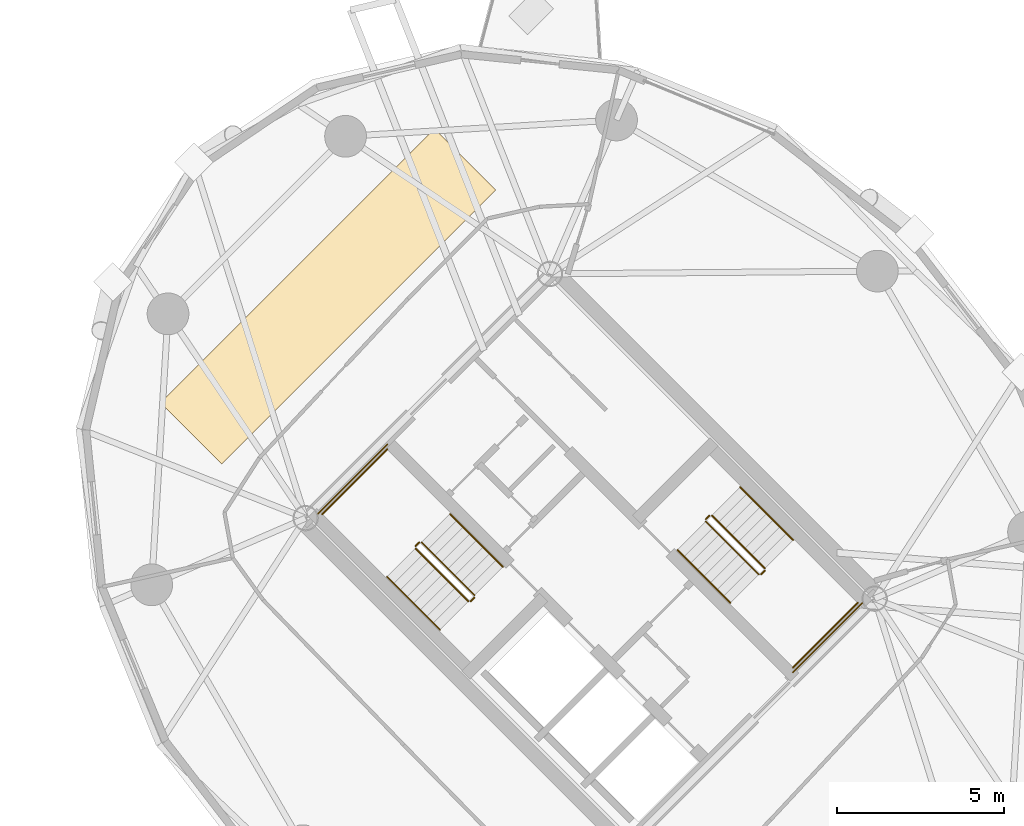
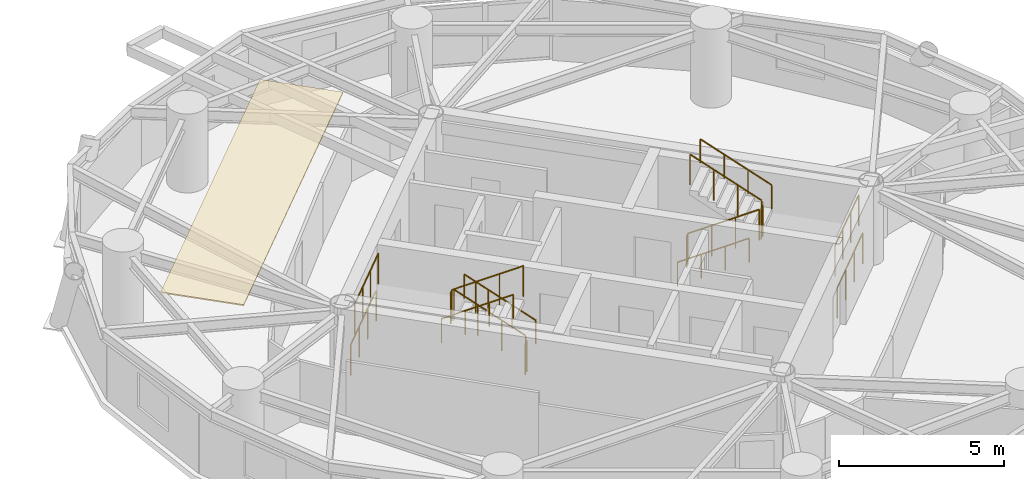
# One storey, part 16 of 17: 16 railings, 1 covering.
"""IFC4 building model written with IfcOpenShell, lengths in metres."""

from ifc_helpers import new_model, si_unit, direction, frame, origin, origin_2d, place, context, subcontext, project, spatial, polyline, circle, outline, extrude, material, layer, layer_set, type_object, element, save


model = new_model("IFC4")

# Units and contexts
model_context = context("Model", 3, precision=1e-05, world=origin(), true_north=direction((0.0, 1.0)))
body_context = subcontext(model_context, "Body", "Model", "MODEL_VIEW")
ifc_project = project(units=[si_unit("LENGTHUNIT", "METRE"), si_unit("AREAUNIT", "SQUARE_METRE"), si_unit("VOLUMEUNIT", "CUBIC_METRE"), si_unit("PLANEANGLEUNIT", "RADIAN"), si_unit("MASSUNIT", "GRAM", prefix="KILO")], contexts=[model_context])

# Site, building, storey
site_placement = place(None, origin())
site = spatial("IfcSite", under=ifc_project, at=site_placement, CompositionType="ELEMENT")
building_placement = place(site_placement, origin())
building = spatial("IfcBuilding", under=site, at=building_placement, Name="Cununo Teusaquillo Station Towers", CompositionType="ELEMENT")
storey_placement = place(building_placement, frame((0.0, 0.0, 186.52001953125)))
storey = spatial("IfcBuildingStorey", under=building, at=storey_placement, Name="L59", CompositionType="ELEMENT", Elevation=186.52001953125)

# Covering
ifc_material_1 = material(Name="Mineral-fibre acoustic suspended ceiling tile", Category="finish")
ifc_layer = layer(ifc_material_1, 0.044921875)
ifc_layer_set = layer_set([ifc_layer], Name="Mineral-fibre acoustic suspended ceiling tile")
covering_type = type_object("IfcCoveringType", Name="COV-CEIL-600", PredefinedType="CEILING", material=ifc_layer_set)
covering_placement = place(storey_placement, frame((0.0, 0.0, 2.64501953125)))
element("IfcCovering", 1, at=covering_placement, inside=storey, type_object=covering_type, Name="L59 Tower B Acoustic Ceiling", PredefinedType="CEILING", context=body_context, shape_type="SweptSolid", body=[
    extrude(outline(polyline([(52.8330078125, 37.369384765625), (54.671630859375, 35.531005859375), (46.468994140625, 27.328369140625), (44.630615234375, 29.1669921875), (52.8330078125, 37.369384765625)])), origin(), (0.0, 0.0, 1.0), 0.044921875),
])

# Railings
ifc_material_2 = material(Name="Steel EN 10025-2 S355J2", Category="steel")
railing_type_1 = type_object("IfcRailingType", Name="RL-INT-GUARD", PredefinedType="GUARDRAIL", material=ifc_material_2)
railing_1_placement = place(storey_placement, frame((54.03515625, 23.39697265625, 0.16162109375)))
element("IfcRailing", 2, at=railing_1_placement, inside=storey, type_object=railing_type_1, Name="L59 ST-T2-1 stair guard 1", PredefinedType="GUARDRAIL", context=body_context, shape_type="SweptSolid", body=[
    extrude(circle(Radius=0.02392578125, at=origin_2d()), frame((0.0, 0.0, 1.1259765625), z_axis=(-0.612332353853, 0.612332353853, 0.500098167213), x_axis=(-0.707106781187, -0.707106781187, 0.0)), (0.0, 0.0, 1.0), 2.58642578125),
    extrude(circle(Radius=0.02099609375, at=origin_2d()), origin(), (0.0, 0.0, 1.0), 1.101806640625),
    extrude(circle(Radius=0.02099609375, at=origin_2d()), frame((-0.52783203125, 0.52783203125, 0.43115234375)), (0.0, 0.0, 1.0), 1.101806640625),
    extrude(circle(Radius=0.02099609375, at=origin_2d()), frame((-1.055908203125, 1.055908203125, 0.8623046875)), (0.0, 0.0, 1.0), 1.101806640625),
    extrude(circle(Radius=0.02099609375, at=origin_2d()), frame((-1.583740234375, 1.583740234375, 1.29345703125)), (0.0, 0.0, 1.0), 1.101806640625),
])
railing_2_placement = place(storey_placement, frame((52.380615234375, 24.980712890625, 1.455078125)))
element("IfcRailing", 3, at=railing_2_placement, inside=storey, type_object=railing_type_1, Name="L59 ST-T2-1 stair guard 2", PredefinedType="GUARDRAIL", context=body_context, shape_type="SweptSolid", body=[
    extrude(circle(Radius=0.02392578125, at=origin_2d()), frame((0.0, 0.0, 1.1259765625), z_axis=(-0.7078691598, -0.706343579714, 0.0), x_axis=(0.706343579714, -0.7078691598, 0.0)), (0.0, 0.0, 1.0), 0.159912109375),
    extrude(circle(Radius=0.02099609375, at=origin_2d()), origin(), (0.0, 0.0, 1.0), 1.101806640625),
    extrude(circle(Radius=0.02099609375, at=origin_2d()), frame((-0.11328125, -0.113037109375, 0.0)), (0.0, 0.0, 1.0), 1.101806640625),
])
railing_3_placement = place(storey_placement, frame((51.426025390625, 27.77392578125, 1.455078125)))
element("IfcRailing", 4, at=railing_3_placement, inside=storey, type_object=railing_type_1, Name="L59 ST-T2-1 stair guard 3", PredefinedType="GUARDRAIL", context=body_context, shape_type="SweptSolid", body=[
    extrude(circle(Radius=0.02392578125, at=origin_2d()), frame((0.0, 0.0, 1.1259765625), z_axis=(-0.707106781187, -0.707106781187, 0.0), x_axis=(0.707106781187, -0.707106781187, 0.0)), (0.0, 0.0, 1.0), 2.760009765625),
    extrude(circle(Radius=0.02099609375, at=origin_2d()), origin(), (0.0, 0.0, 1.0), 1.101806640625),
    extrude(circle(Radius=0.02099609375, at=origin_2d()), frame((-0.650634765625, -0.650634765625, 0.0)), (0.0, 0.0, 1.0), 1.101806640625),
    extrude(circle(Radius=0.02099609375, at=origin_2d()), frame((-1.301025390625, -1.301025390625, 0.0)), (0.0, 0.0, 1.0), 1.101806640625),
    extrude(circle(Radius=0.02099609375, at=origin_2d()), frame((-1.95166015625, -1.95166015625, 0.0)), (0.0, 0.0, 1.0), 1.101806640625),
])
railing_4_placement = place(storey_placement, frame((52.267333984375, 24.796875, 1.61669921875)))
element("IfcRailing", 5, at=railing_4_placement, inside=storey, type_object=railing_type_1, Name="L59 ST-T2-1 stair guard 4", PredefinedType="GUARDRAIL", context=body_context, shape_type="SweptSolid", body=[
    extrude(circle(Radius=0.02392578125, at=origin_2d()), frame((0.0, 0.0, 1.1259765625), z_axis=(0.612420254088, -0.612325861324, 0.499998471934), x_axis=(0.707052281454, 0.707161276719, 0.0)), (0.0, 0.0, 1.0), 2.58642578125),
    extrude(circle(Radius=0.02099609375, at=origin_2d()), origin(), (0.0, 0.0, 1.0), 1.101806640625),
    extrude(circle(Radius=0.02099609375, at=origin_2d()), frame((0.528076171875, -0.52783203125, 0.43115234375)), (0.0, 0.0, 1.0), 1.101806640625),
    extrude(circle(Radius=0.02099609375, at=origin_2d()), frame((1.055908203125, -1.055908203125, 0.862060546875)), (0.0, 0.0, 1.0), 1.101806640625),
    extrude(circle(Radius=0.02099609375, at=origin_2d()), frame((1.583984375, -1.583740234375, 1.293212890625)), (0.0, 0.0, 1.0), 1.101806640625),
])
railing_5_placement = place(storey_placement, frame((54.03515625, 23.326171875, 0.0)))
element("IfcRailing", 6, at=railing_5_placement, inside=storey, type_object=railing_type_1, Name="L59 ST-T2-1 stair guard 5", PredefinedType="GUARDRAIL", context=body_context, shape_type="SweptSolid", body=[
    extrude(circle(Radius=0.02392578125, at=origin_2d()), frame((0.0, 0.0, 1.1259765625), z_axis=(-0.707106781187, -0.707106781187, 0.0), x_axis=(0.707106781187, -0.707106781187, 0.0)), (0.0, 0.0, 1.0), 0.159912109375),
    extrude(circle(Radius=0.02099609375, at=origin_2d()), origin(), (0.0, 0.0, 1.0), 1.101806640625),
    extrude(circle(Radius=0.02099609375, at=origin_2d()), frame((-0.113037109375, -0.113037109375, 0.0)), (0.0, 0.0, 1.0), 1.101806640625),
])
railing_6_placement = place(storey_placement, frame((51.426025390625, 27.915283203125, 0.0)))
element("IfcRailing", 7, at=railing_6_placement, inside=storey, type_object=railing_type_1, Name="L59 ST-T2-1 stair guard 6", PredefinedType="GUARDRAIL", context=body_context, shape_type="SweptSolid", body=[
    extrude(circle(Radius=0.02392578125, at=origin_2d()), frame((0.0, 0.0, 1.1259765625), z_axis=(-0.707106781187, -0.707106781187, 0.0), x_axis=(0.707106781187, -0.707106781187, 0.0)), (0.0, 0.0, 1.0), 2.9599609375),
    extrude(circle(Radius=0.02099609375, at=origin_2d()), origin(), (0.0, 0.0, 1.0), 1.101806640625),
    extrude(circle(Radius=0.02099609375, at=origin_2d()), frame((-0.69775390625, -0.69775390625, 0.0)), (0.0, 0.0, 1.0), 1.101806640625),
    extrude(circle(Radius=0.02099609375, at=origin_2d()), frame((-1.395263671875, -1.395263671875, 0.0)), (0.0, 0.0, 1.0), 1.101806640625),
    extrude(circle(Radius=0.02099609375, at=origin_2d()), frame((-2.093017578125, -2.093017578125, 0.0)), (0.0, 0.0, 1.0), 1.101806640625),
])
railing_7_placement = place(storey_placement, frame((60.96484375, 25.60302734375, 0.16162109375)))
element("IfcRailing", 8, at=railing_7_placement, inside=storey, type_object=railing_type_1, Name="L59 ST-T2-2 stair guard 1", PredefinedType="GUARDRAIL", context=body_context, shape_type="SweptSolid", body=[
    extrude(circle(Radius=0.02392578125, at=origin_2d()), frame((0.0, 0.0, 1.1259765625), z_axis=(0.612332353853, -0.612332353853, 0.500098167213), x_axis=(0.707106781187, 0.707106781187, 0.0)), (0.0, 0.0, 1.0), 2.58642578125),
    extrude(circle(Radius=0.02099609375, at=origin_2d()), origin(), (0.0, 0.0, 1.0), 1.101806640625),
    extrude(circle(Radius=0.02099609375, at=origin_2d()), frame((0.52783203125, -0.52783203125, 0.43115234375)), (0.0, 0.0, 1.0), 1.101806640625),
    extrude(circle(Radius=0.02099609375, at=origin_2d()), frame((1.055908203125, -1.055908203125, 0.8623046875)), (0.0, 0.0, 1.0), 1.101806640625),
    extrude(circle(Radius=0.02099609375, at=origin_2d()), frame((1.583740234375, -1.583740234375, 1.29345703125)), (0.0, 0.0, 1.0), 1.101806640625),
])
railing_8_placement = place(storey_placement, frame((62.619384765625, 24.019287109375, 1.455078125)))
element("IfcRailing", 9, at=railing_8_placement, inside=storey, type_object=railing_type_1, Name="L59 ST-T2-2 stair guard 2", PredefinedType="GUARDRAIL", context=body_context, shape_type="SweptSolid", body=[
    extrude(circle(Radius=0.02392578125, at=origin_2d()), frame((0.0, 0.0, 1.1259765625), z_axis=(0.7078691598, 0.706343579714, 0.0), x_axis=(-0.706343579714, 0.7078691598, 0.0)), (0.0, 0.0, 1.0), 0.159912109375),
    extrude(circle(Radius=0.02099609375, at=origin_2d()), origin(), (0.0, 0.0, 1.0), 1.101806640625),
    extrude(circle(Radius=0.02099609375, at=origin_2d()), frame((0.11328125, 0.113037109375, 0.0)), (0.0, 0.0, 1.0), 1.101806640625),
])
railing_9_placement = place(storey_placement, frame((63.573974609375, 21.22607421875, 1.455078125)))
element("IfcRailing", 10, at=railing_9_placement, inside=storey, type_object=railing_type_1, Name="L59 ST-T2-2 stair guard 3", PredefinedType="GUARDRAIL", context=body_context, shape_type="SweptSolid", body=[
    extrude(circle(Radius=0.02392578125, at=origin_2d()), frame((0.0, 0.0, 1.1259765625), z_axis=(0.707106781187, 0.707106781187, 0.0), x_axis=(-0.707106781187, 0.707106781187, 0.0)), (0.0, 0.0, 1.0), 2.760009765625),
    extrude(circle(Radius=0.02099609375, at=origin_2d()), origin(), (0.0, 0.0, 1.0), 1.101806640625),
    extrude(circle(Radius=0.02099609375, at=origin_2d()), frame((0.650634765625, 0.650634765625, 0.0)), (0.0, 0.0, 1.0), 1.101806640625),
    extrude(circle(Radius=0.02099609375, at=origin_2d()), frame((1.301025390625, 1.301025390625, 0.0)), (0.0, 0.0, 1.0), 1.101806640625),
    extrude(circle(Radius=0.02099609375, at=origin_2d()), frame((1.95166015625, 1.95166015625, 0.0)), (0.0, 0.0, 1.0), 1.101806640625),
])
railing_10_placement = place(storey_placement, frame((62.732666015625, 24.203125, 1.61669921875)))
element("IfcRailing", 11, at=railing_10_placement, inside=storey, type_object=railing_type_1, Name="L59 ST-T2-2 stair guard 4", PredefinedType="GUARDRAIL", context=body_context, shape_type="SweptSolid", body=[
    extrude(circle(Radius=0.02392578125, at=origin_2d()), frame((0.0, 0.0, 1.1259765625), z_axis=(-0.612420254088, 0.612325861324, 0.499998471934), x_axis=(-0.707052281454, -0.707161276719, 0.0)), (0.0, 0.0, 1.0), 2.58642578125),
    extrude(circle(Radius=0.02099609375, at=origin_2d()), origin(), (0.0, 0.0, 1.0), 1.101806640625),
    extrude(circle(Radius=0.02099609375, at=origin_2d()), frame((-0.528076171875, 0.52783203125, 0.43115234375)), (0.0, 0.0, 1.0), 1.101806640625),
    extrude(circle(Radius=0.02099609375, at=origin_2d()), frame((-1.055908203125, 1.055908203125, 0.862060546875)), (0.0, 0.0, 1.0), 1.101806640625),
    extrude(circle(Radius=0.02099609375, at=origin_2d()), frame((-1.583984375, 1.583740234375, 1.293212890625)), (0.0, 0.0, 1.0), 1.101806640625),
])
railing_11_placement = place(storey_placement, frame((60.96484375, 25.673828125, 0.0)))
element("IfcRailing", 12, at=railing_11_placement, inside=storey, type_object=railing_type_1, Name="L59 ST-T2-2 stair guard 5", PredefinedType="GUARDRAIL", context=body_context, shape_type="SweptSolid", body=[
    extrude(circle(Radius=0.02392578125, at=origin_2d()), frame((0.0, 0.0, 1.1259765625), z_axis=(0.707106781187, 0.707106781187, 0.0), x_axis=(-0.707106781187, 0.707106781187, 0.0)), (0.0, 0.0, 1.0), 0.159912109375),
    extrude(circle(Radius=0.02099609375, at=origin_2d()), origin(), (0.0, 0.0, 1.0), 1.101806640625),
    extrude(circle(Radius=0.02099609375, at=origin_2d()), frame((0.113037109375, 0.113037109375, 0.0)), (0.0, 0.0, 1.0), 1.101806640625),
])
railing_12_placement = place(storey_placement, frame((63.573974609375, 21.084716796875, 0.0)))
element("IfcRailing", 13, at=railing_12_placement, inside=storey, type_object=railing_type_1, Name="L59 ST-T2-2 stair guard 6", PredefinedType="GUARDRAIL", context=body_context, shape_type="SweptSolid", body=[
    extrude(circle(Radius=0.02392578125, at=origin_2d()), frame((0.0, 0.0, 1.1259765625), z_axis=(0.707106781187, 0.707106781187, 0.0), x_axis=(-0.707106781187, 0.707106781187, 0.0)), (0.0, 0.0, 1.0), 2.9599609375),
    extrude(circle(Radius=0.02099609375, at=origin_2d()), origin(), (0.0, 0.0, 1.0), 1.101806640625),
    extrude(circle(Radius=0.02099609375, at=origin_2d()), frame((0.69775390625, 0.69775390625, 0.0)), (0.0, 0.0, 1.0), 1.101806640625),
    extrude(circle(Radius=0.02099609375, at=origin_2d()), frame((1.395263671875, 1.395263671875, 0.0)), (0.0, 0.0, 1.0), 1.101806640625),
    extrude(circle(Radius=0.02099609375, at=origin_2d()), frame((2.093017578125, 2.093017578125, 0.0)), (0.0, 0.0, 1.0), 1.101806640625),
])
ifc_material_3 = material(Name="Steel EN 10025-2 S355J2", Category="steel")
railing_type_2 = type_object("IfcRailingType", Name="RL-INT-HRAIL", PredefinedType="HANDRAIL", material=ifc_material_3)
railing_13_placement = place(storey_placement, frame((54.8837890625, 24.245361328125, 0.16162109375)))
element("IfcRailing", 14, at=railing_13_placement, inside=storey, type_object=railing_type_2, Name="L59 ST-T2-1 stair handrail 1", PredefinedType="HANDRAIL", context=body_context, shape_type="SweptSolid", body=[
    extrude(circle(Radius=0.02392578125, at=origin_2d()), frame((0.0, 0.0, 0.8759765625), z_axis=(-0.612355957468, 0.612355957468, 0.500040361077), x_axis=(-0.707106781187, -0.707106781187, 0.0)), (0.0, 0.0, 1.0), 2.586669921875),
    extrude(circle(Radius=0.02099609375, at=origin_2d()), origin(), (0.0, 0.0, 1.0), 0.851806640625),
    extrude(circle(Radius=0.02099609375, at=origin_2d()), frame((-0.528076171875, 0.528076171875, 0.43115234375)), (0.0, 0.0, 1.0), 0.851806640625),
    extrude(circle(Radius=0.02099609375, at=origin_2d()), frame((-1.055908203125, 1.055908203125, 0.8623046875)), (0.0, 0.0, 1.0), 0.851806640625),
    extrude(circle(Radius=0.02099609375, at=origin_2d()), frame((-1.583984375, 1.583984375, 1.29345703125)), (0.0, 0.0, 1.0), 0.851806640625),
])
railing_14_placement = place(storey_placement, frame((51.4189453125, 23.948486328125, 1.61669921875)))
element("IfcRailing", 15, at=railing_14_placement, inside=storey, type_object=railing_type_2, Name="L59 ST-T2-1 stair handrail 2", PredefinedType="HANDRAIL", context=body_context, shape_type="SweptSolid", body=[
    extrude(circle(Radius=0.02392578125, at=origin_2d()), frame((0.0, 0.0, 0.8759765625), z_axis=(0.612384857071, -0.612384857071, 0.499969572735), x_axis=(0.707106781187, 0.707106781187, 0.0)), (0.0, 0.0, 1.0), 2.586669921875),
    extrude(circle(Radius=0.02099609375, at=origin_2d()), origin(), (0.0, 0.0, 1.0), 0.851806640625),
    extrude(circle(Radius=0.02099609375, at=origin_2d()), frame((0.528076171875, -0.528076171875, 0.43115234375)), (0.0, 0.0, 1.0), 0.851806640625),
    extrude(circle(Radius=0.02099609375, at=origin_2d()), frame((1.055908203125, -1.055908203125, 0.862060546875)), (0.0, 0.0, 1.0), 0.851806640625),
    extrude(circle(Radius=0.02099609375, at=origin_2d()), frame((1.583984375, -1.583984375, 1.293212890625)), (0.0, 0.0, 1.0), 0.851806640625),
])
railing_15_placement = place(storey_placement, frame((60.1162109375, 24.754638671875, 0.16162109375)))
element("IfcRailing", 16, at=railing_15_placement, inside=storey, type_object=railing_type_2, Name="L59 ST-T2-2 stair handrail 1", PredefinedType="HANDRAIL", context=body_context, shape_type="SweptSolid", body=[
    extrude(circle(Radius=0.02392578125, at=origin_2d()), frame((0.0, 0.0, 0.8759765625), z_axis=(0.612355957468, -0.612355957468, 0.500040361077), x_axis=(0.707106781187, 0.707106781187, 0.0)), (0.0, 0.0, 1.0), 2.586669921875),
    extrude(circle(Radius=0.02099609375, at=origin_2d()), origin(), (0.0, 0.0, 1.0), 0.851806640625),
    extrude(circle(Radius=0.02099609375, at=origin_2d()), frame((0.528076171875, -0.528076171875, 0.43115234375)), (0.0, 0.0, 1.0), 0.851806640625),
    extrude(circle(Radius=0.02099609375, at=origin_2d()), frame((1.055908203125, -1.055908203125, 0.8623046875)), (0.0, 0.0, 1.0), 0.851806640625),
    extrude(circle(Radius=0.02099609375, at=origin_2d()), frame((1.583984375, -1.583984375, 1.29345703125)), (0.0, 0.0, 1.0), 0.851806640625),
])
railing_16_placement = place(storey_placement, frame((63.5810546875, 25.051513671875, 1.61669921875)))
element("IfcRailing", 17, at=railing_16_placement, inside=storey, type_object=railing_type_2, Name="L59 ST-T2-2 stair handrail 2", PredefinedType="HANDRAIL", context=body_context, shape_type="SweptSolid", body=[
    extrude(circle(Radius=0.02392578125, at=origin_2d()), frame((0.0, 0.0, 0.8759765625), z_axis=(-0.612384857071, 0.612384857071, 0.499969572735), x_axis=(-0.707106781187, -0.707106781187, 0.0)), (0.0, 0.0, 1.0), 2.586669921875),
    extrude(circle(Radius=0.02099609375, at=origin_2d()), origin(), (0.0, 0.0, 1.0), 0.851806640625),
    extrude(circle(Radius=0.02099609375, at=origin_2d()), frame((-0.528076171875, 0.528076171875, 0.43115234375)), (0.0, 0.0, 1.0), 0.851806640625),
    extrude(circle(Radius=0.02099609375, at=origin_2d()), frame((-1.055908203125, 1.055908203125, 0.862060546875)), (0.0, 0.0, 1.0), 0.851806640625),
    extrude(circle(Radius=0.02099609375, at=origin_2d()), frame((-1.583984375, 1.583984375, 1.293212890625)), (0.0, 0.0, 1.0), 0.851806640625),
])

save(model, "model.ifc")
